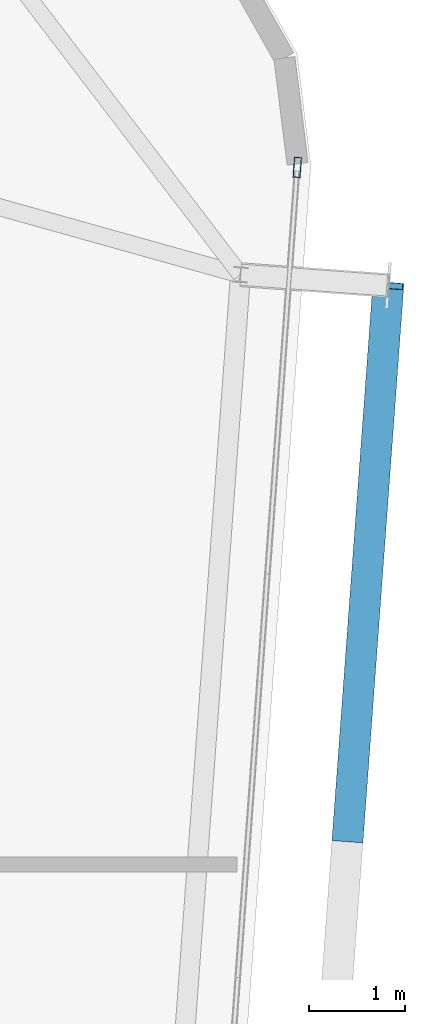
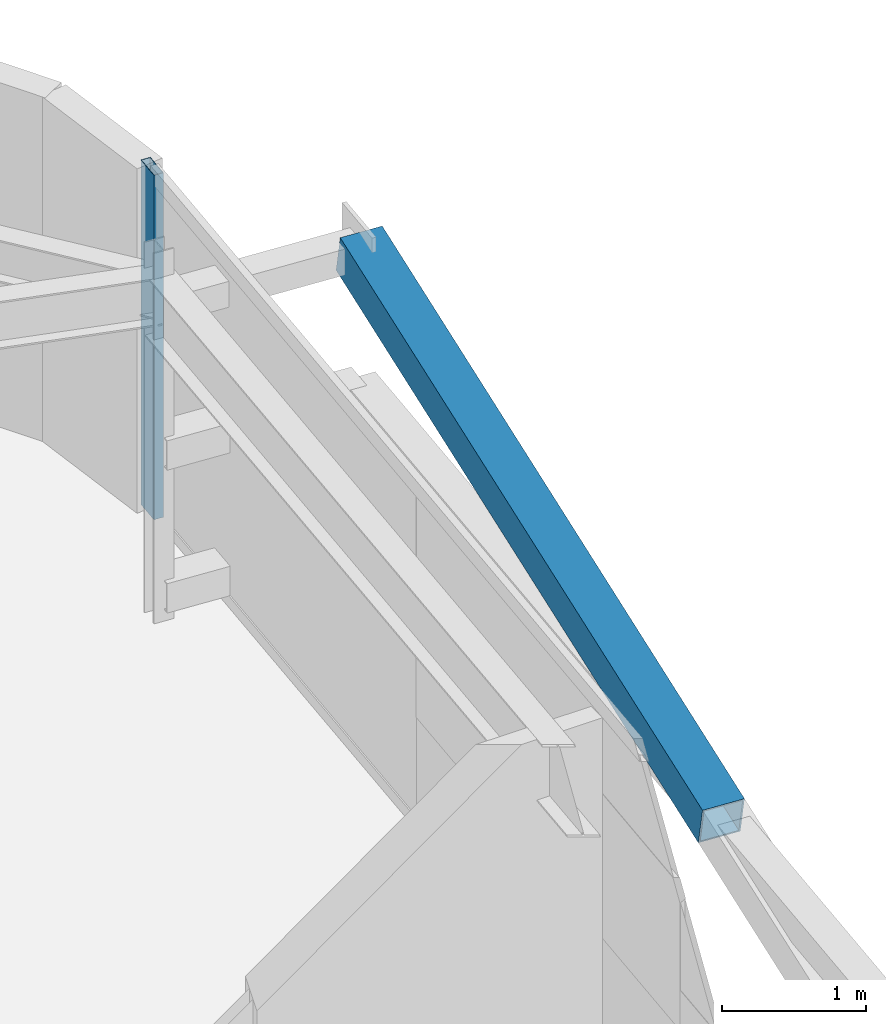
# One storey, part 19 of 34: 2 members, 1 element without a shape of its own.
"""IFC4 building model written with IfcOpenShell, lengths in metres."""

import ifcopenshell
import ifcopenshell.guid

model = None  # the IFC model being written
_history = None  # IfcOwnerHistory: only IFC2X3 demands one
_inside = {}  # id of a spatial element -> (the spatial element, [elements in it])
_under = {}  # id of a project, library or spatial element -> (it, [spatial elements below it])
_declared = {}  # id of a project -> (the project, [libraries it declares])
_typed = {}  # id of a type object -> (the type object, [elements of that type])
_made_of = {}  # id of a material, layer set ... -> (it, [elements and type objects made of it])


def new_model(schema):
    """Start an empty IFC model of exactly this schema.

    Asked for "IFC4X3", IfcOpenShell would pick the latest addendum, in which some entities
    have other attributes; the version numbers below select the first issue.
    IFC2X3 requires an IfcOwnerHistory on every rooted entity: one is made here for all.
    """
    global model, _history
    if schema == "IFC4X3":
        model = ifcopenshell.file(schema_version=(4, 3, 0, 0))
    else:
        model = ifcopenshell.file(schema=schema)
    _inside.clear()
    _under.clear()
    _declared.clear()
    _typed.clear()
    _made_of.clear()
    _history = None
    if model.schema == "IFC2X3":
        org = make("IfcOrganization", Name="unknown")
        user = make(
            "IfcPersonAndOrganization",
            ThePerson=make("IfcPerson", FamilyName="unknown"),
            TheOrganization=org,
        )
        app = make(
            "IfcApplication",
            ApplicationDeveloper=org,
            Version="unknown",
            ApplicationFullName="unknown",
            ApplicationIdentifier="unknown",
        )
        _history = make(
            "IfcOwnerHistory",
            OwningUser=user,
            OwningApplication=app,
            ChangeAction="ADDED",
            CreationDate=0,
        )
    return model


def make(cls, **values):
    """One entity of the class cls with the attributes given. An attribute that is None is left unset."""
    return model.create_entity(
        cls, **{name: value for name, value in values.items() if value is not None}
    )


def rooted(cls, **values):
    """An entity with a GlobalId (a new one), such as an element, a storey or a relation."""
    return make(cls, GlobalId=ifcopenshell.guid.new(), OwnerHistory=_history, **values)


def si_unit(unit_type, name, prefix=None):
    """IfcSIUnit, for example si_unit("LENGTHUNIT", "METRE", prefix="MILLI")."""
    return make("IfcSIUnit", UnitType=unit_type, Prefix=prefix, Name=name)


def assignment(units):
    """IfcUnitAssignment: the units of a project."""
    return None if units is None else make("IfcUnitAssignment", Units=units)


def point(xyz):
    """IfcCartesianPoint."""
    return None if xyz is None else make("IfcCartesianPoint", Coordinates=xyz)


def direction(xyz):
    """IfcDirection."""
    return None if xyz is None else make("IfcDirection", DirectionRatios=xyz)


def frame(location, z_axis=None, x_axis=None):
    """IfcAxis2Placement3D, a coordinate frame: its origin and axes. An axis left out is left unset."""
    return make(
        "IfcAxis2Placement3D",
        Location=point(location),
        Axis=direction(z_axis),
        RefDirection=direction(x_axis),
    )


def frame_2d(location, x_axis=None):
    """IfcAxis2Placement2D, a coordinate frame in the plane: its origin and x axis."""
    return make(
        "IfcAxis2Placement2D", Location=point(location), RefDirection=direction(x_axis)
    )


def origin():
    """The frame at (0, 0, 0) with its axes left unset."""
    return frame((0.0, 0.0, 0.0))


def origin_2d():
    """The frame at (0, 0) in the plane with its x axis left unset."""
    return frame_2d((0.0, 0.0))


def place(relative_to, where):
    """IfcLocalPlacement: puts the frame where relative to a parent placement (None: the world)."""
    return make(
        "IfcLocalPlacement", PlacementRelTo=relative_to, RelativePlacement=where
    )


def context(
    kind, dimensions, precision=None, world=None, true_north=None, identifier=None
):
    """IfcGeometricRepresentationContext, for example the 3D "Model" context."""
    return make(
        "IfcGeometricRepresentationContext",
        ContextIdentifier=identifier,
        ContextType=kind,
        CoordinateSpaceDimension=dimensions,
        Precision=precision,
        WorldCoordinateSystem=world,
        TrueNorth=true_north,
    )


def subcontext(parent, identifier, kind, view, scale=None):
    """IfcGeometricRepresentationSubContext, for example "Body" below "Model"."""
    return make(
        "IfcGeometricRepresentationSubContext",
        ContextIdentifier=identifier,
        ContextType=kind,
        ParentContext=parent,
        TargetScale=scale,
        TargetView=view,
    )


def project(units=None, contexts=None):
    """IfcProject with its units and contexts."""
    return rooted(
        "IfcProject",
        Name="project",
        RepresentationContexts=contexts,
        UnitsInContext=assignment(units),
    )


def spatial(cls, under=None, at=None, **own):
    """A site, building, storey or space (cls), placed at a placement, below another one or the project."""
    s = rooted(cls, ObjectPlacement=at, **own)
    if under is not None:
        _under.setdefault(under.id(), (under, []))[1].append(s)
    return s


def profile(cls, at=None, kind="AREA", **sizes):
    """A parametric profile (cls). Its sizes go by their IFC names, for example OverallWidth=200.0."""
    return make(cls, ProfileType=kind, Position=at, **sizes)


def hollow_rectangle(**sizes):
    """IfcRectangleHollowProfileDef."""
    return profile("IfcRectangleHollowProfileDef", **sizes)


def extrude(swept, where, along, depth):
    """IfcExtrudedAreaSolid: the profile swept, set in the frame where, extruded along a direction by depth."""
    return make(
        "IfcExtrudedAreaSolid",
        SweptArea=swept,
        Position=where,
        ExtrudedDirection=direction(along),
        Depth=depth,
    )


def shape(context_of_items, identifier, shape_type, items):
    """IfcShapeRepresentation: the items that make up one representation, for example the "Body"."""
    return make(
        "IfcShapeRepresentation",
        ContextOfItems=context_of_items,
        RepresentationIdentifier=identifier,
        RepresentationType=shape_type,
        Items=items,
    )


def source(mapping_origin, context_of_items, identifier, shape_type, items):
    """IfcRepresentationMap: a shape defined once, which mapped items show again and again."""
    return make(
        "IfcRepresentationMap",
        MappingOrigin=mapping_origin,
        MappedRepresentation=shape(context_of_items, identifier, shape_type, items),
    )


def transform(
    local_origin,
    x_axis=None,
    y_axis=None,
    z_axis=None,
    scale=None,
    scale2=None,
    scale3=None,
    uniform=True,
):
    """IfcCartesianTransformationOperator3D, or its non-uniform kind. x_axis, y_axis, z_axis: its Axis1, 2, 3."""
    if uniform:
        return make(
            "IfcCartesianTransformationOperator3D",
            Axis1=direction(x_axis),
            Axis2=direction(y_axis),
            LocalOrigin=point(local_origin),
            Scale=scale,
            Axis3=direction(z_axis),
        )
    return make(
        "IfcCartesianTransformationOperator3DnonUniform",
        Axis1=direction(x_axis),
        Axis2=direction(y_axis),
        LocalOrigin=point(local_origin),
        Scale=scale,
        Axis3=direction(z_axis),
        Scale2=scale2,
        Scale3=scale3,
    )


def mapped(mapping_source, mapping_target):
    """IfcMappedItem: shows the shape of a source again, moved by a transform."""
    return make(
        "IfcMappedItem", MappingSource=mapping_source, MappingTarget=mapping_target
    )


def material(Name=None, Category=None):
    """IfcMaterial."""
    return make("IfcMaterial", Name=Name, Category=Category)


def layer(
    of_material, thickness, ventilated=None, Name=None, Category=None, Priority=None
):
    """IfcMaterialLayer: one layer of a wall or slab, of a material (None: an air gap)."""
    return make(
        "IfcMaterialLayer",
        Material=of_material,
        LayerThickness=thickness,
        IsVentilated=ventilated,
        Name=Name,
        Category=Category,
        Priority=Priority,
    )


def layer_set(layers, Name=None):
    """IfcMaterialLayerSet."""
    return make("IfcMaterialLayerSet", MaterialLayers=layers, LayerSetName=Name)


def material_profile(
    of_material, cross_section, Name=None, Category=None, Priority=None
):
    """IfcMaterialProfile: a cross section and its material."""
    return make(
        "IfcMaterialProfile",
        Name=Name,
        Material=of_material,
        Profile=cross_section,
        Priority=Priority,
        Category=Category,
    )


def profile_set(profiles, Name=None, composite=None):
    """IfcMaterialProfileSet."""
    return make(
        "IfcMaterialProfileSet",
        Name=Name,
        MaterialProfiles=profiles,
        CompositeProfile=composite,
    )


def made_of(thing, what):
    """Note that an element or type object is made of a material, layer set ...; save() writes the relation."""
    if what is not None:
        _made_of.setdefault(what.id(), (what, []))[1].append(thing)
    return thing


def type_object(cls, material=None, **own):
    """A type object (cls), such as IfcWallType, which elements share."""
    return made_of(rooted(cls, **own), material)


def element(
    cls,
    number,
    at=None,
    inside=None,
    cuts=None,
    type_object=None,
    material=None,
    context=None,
    identifier="Body",
    shape_type=None,
    held_by="IfcProductDefinitionShape",
    body=None,
    shapes=None,
    **own,
):
    """One element of the class cls, such as IfcWall. Its Tag is "e" and its number.

    at: its placement. inside: the storey or other place that contains it. cuts: it is an
    opening in that element (IfcRelVoidsElement). A single representation is given by context,
    identifier, shape_type and body (its items); several are given by shapes. held_by: the class
    of the entity that holds the representations. save() writes the other relations.
    """
    e = rooted(cls, Tag="e%d" % number, ObjectPlacement=at, **own)
    if body is not None:
        shapes = [shape(context, identifier, shape_type, body)]
    if shapes is not None:
        e.Representation = make(held_by, Representations=shapes)
    if inside is not None:
        _inside.setdefault(inside.id(), (inside, []))[1].append(e)
    if cuts is not None:
        rooted(
            "IfcRelVoidsElement", RelatingBuildingElement=cuts, RelatedOpeningElement=e
        )
    if type_object is not None:
        _typed.setdefault(type_object.id(), (type_object, []))[1].append(e)
    return made_of(e, material)


def aggregate(whole, parts):
    """IfcRelAggregates: a whole, such as a stair, and the parts it consists of."""
    return rooted("IfcRelAggregates", RelatingObject=whole, RelatedObjects=parts)


def save(model, path):
    """Write the relations noted so far, then the file.

    IfcRelAggregates (storeys below a building ...), IfcRelContainedInSpatialStructure (elements
    in a storey), IfcRelDefinesByType, IfcRelAssociatesMaterial and IfcRelDeclares: one each for
    every whole, place, type object, material and project.
    """
    for whole, parts in _under.values():
        aggregate(whole, parts)
    for where, things in _inside.values():
        rooted(
            "IfcRelContainedInSpatialStructure",
            RelatedElements=things,
            RelatingStructure=where,
        )
    for kind, things in _typed.values():
        rooted("IfcRelDefinesByType", RelatedObjects=things, RelatingType=kind)
    for what, things in _made_of.values():
        rooted("IfcRelAssociatesMaterial", RelatedObjects=things, RelatingMaterial=what)
    for by, libraries in _declared.values():
        rooted("IfcRelDeclares", RelatingContext=by, RelatedDefinitions=libraries)
    model.write(path)


model = new_model("IFC4")

# Units and contexts
model_context = context("Model", 3, precision=1e-05, world=origin(), true_north=direction((0.0, 1.0)))
body_context = subcontext(model_context, "Body", "Model", "MODEL_VIEW")
ifc_project = project(units=[si_unit("LENGTHUNIT", "METRE"), si_unit("AREAUNIT", "SQUARE_METRE"), si_unit("VOLUMEUNIT", "CUBIC_METRE"), si_unit("PLANEANGLEUNIT", "RADIAN"), si_unit("MASSUNIT", "GRAM", prefix="KILO")], contexts=[model_context])

# Site, building, storey
site_placement = place(None, origin())
site = spatial("IfcSite", under=ifc_project, at=site_placement, CompositionType="ELEMENT")
building_placement = place(site_placement, origin())
building = spatial("IfcBuilding", under=site, at=building_placement, Name="Taldren Reach Tower", CompositionType="ELEMENT")
storey_placement = place(building_placement, frame((0.0, 0.0, 239.75)))
storey = spatial("IfcBuildingStorey", under=building, at=storey_placement, Name="L73", CompositionType="ELEMENT", Elevation=239.75)

# Member
ifc_material_1 = material(Name="Steel Gr 450 (C450L0)", Category="steel")
ifc_material_profile_1 = material_profile(ifc_material_1, hollow_rectangle(XDim=0.324951171875, YDim=0.324951171875, WallThickness=0.0126953125, at=origin_2d()), Name="325x325x12.7SHS")
ifc_profile_set_1 = profile_set([ifc_material_profile_1], Name="Steel Gr 450 (C450L0)")
member_type_1 = type_object("IfcMemberType", Name="MB-BR324", PredefinedType="BRACE", material=ifc_profile_set_1)
shared_shape_1 = source(origin(), body_context, "Body", "SweptSolid", [
    extrude(hollow_rectangle(XDim=0.324951171875, YDim=0.324951171875, WallThickness=0.0126953125, at=origin_2d()), origin(), (0.0, 0.0, 1.0), 5.92578125),
])
member_1_placement = place(storey_placement, frame((58.661865234375, 24.270751953125, 1.43505859375), z_axis=(0.071686540919, 0.976131732187, 0.205007027365), x_axis=(-0.997314185625, 0.073242167855, 0.0)))
element("IfcMember", 1, at=member_1_placement, inside=storey, type_object=member_type_1, Name="Exoskeleton Diagrid Brace B5-E2 L73", PredefinedType="BRACE", context=body_context, shape_type="MappedRepresentation", body=[
    mapped(shared_shape_1, transform((0.0, 0.0, 0.0), scale=1.0)),
])

# Curtain wall, member
ifc_material_2 = material(Name="Aluminium and Low-E Glass Unitised System", Category="aluminium")
ifc_layer = layer(ifc_material_2, 0.159912109375)
ifc_layer_set = layer_set([ifc_layer], Name="Aluminium and Low-E Glass Unitised System")
curtain_wall_type = type_object("IfcCurtainWallType", Name="CW-SYS-6", PredefinedType="NOTDEFINED", material=ifc_layer_set)
curtain_wall_placement = place(storey_placement, origin())
curtain_wall = element("IfcCurtainWall", 2, at=curtain_wall_placement, inside=storey, type_object=curtain_wall_type, Name="Unitised curtain wall CW-L73-E", PredefinedType="NOTDEFINED")
ifc_material_3 = material(Name="Anodised Aluminium 6063-T6", Category="aluminium")
ifc_material_profile_2 = material_profile(ifc_material_3, hollow_rectangle(XDim=0.074951171875, YDim=0.2099609375, WallThickness=0.00439453125, at=origin_2d()), Name="ALU-210x75x4.5RHS")
ifc_profile_set_2 = profile_set([ifc_material_profile_2], Name="Anodised Aluminium 6063-T6")
member_type_2 = type_object("IfcMemberType", Name="CW-MUL-200", PredefinedType="MULLION", material=ifc_profile_set_2)
shared_shape_2 = source(origin(), body_context, "Body", "SweptSolid", [
    extrude(hollow_rectangle(XDim=0.074951171875, YDim=0.2099609375, WallThickness=0.00439453125, at=origin_2d()), origin(), (0.0, 0.0, 1.0), 2.929931640625),
])
member_2_placement = place(storey_placement, frame((58.134765625, 31.29052734375, 0.0), z_axis=(0.0, 0.0, 1.0), x_axis=(-0.997314470951, 0.073238282558, 0.0)))
member_2 = element("IfcMember", 3, at=member_2_placement, type_object=member_type_2, Name="CW-6 mullion 3", PredefinedType="MULLION", context=body_context, shape_type="MappedRepresentation", body=[
    mapped(shared_shape_2, transform((0.0, 0.0, 0.0), scale=1.0)),
])
aggregate(curtain_wall, [member_2])

save(model, "model.ifc")
